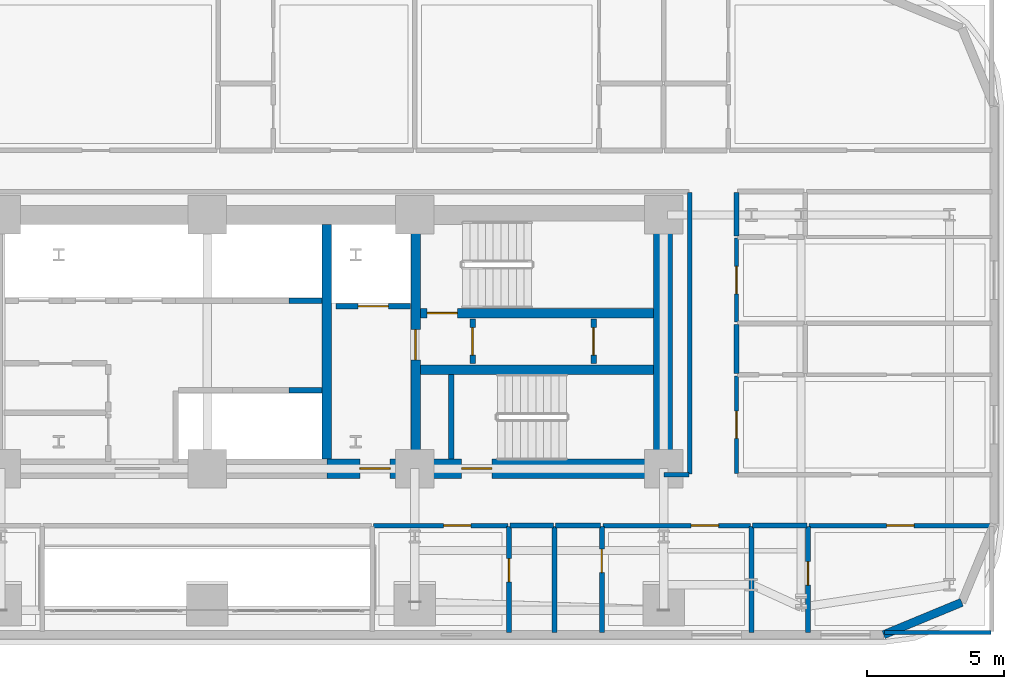
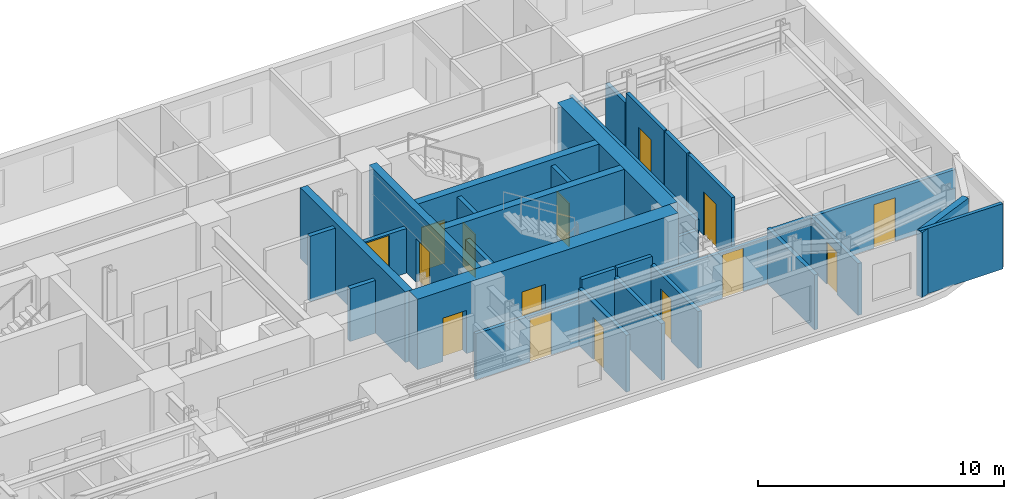
# One storey, part 10 of 15: 31 walls, 15 doors, 15 openings.
"""IFC4 building model written with IfcOpenShell, lengths in metres."""

from ifc_helpers import new_model, si_unit, direction, frame, frame_2d, origin, place, context, subcontext, project, spatial, rectangle, extrude, material, layer, layer_set, type_object, element, fill, save


model = new_model("IFC4")

# Units and contexts
model_context = context("Model", 3, precision=1e-05, world=origin(), true_north=direction((0.0, 1.0)))
body_context = subcontext(model_context, "Body", "Model", "MODEL_VIEW")
ifc_project = project(units=[si_unit("LENGTHUNIT", "METRE"), si_unit("AREAUNIT", "SQUARE_METRE"), si_unit("VOLUMEUNIT", "CUBIC_METRE"), si_unit("PLANEANGLEUNIT", "RADIAN"), si_unit("MASSUNIT", "GRAM", prefix="KILO")], contexts=[model_context])

# Site, building, storey
site_placement = place(None, origin())
site = spatial("IfcSite", under=ifc_project, at=site_placement, CompositionType="ELEMENT")
building_placement = place(site_placement, origin())
building = spatial("IfcBuilding", under=site, at=building_placement, Name="Zarnavel Station Tower", CompositionType="ELEMENT")
storey_placement = place(building_placement, frame((0.0, 0.0, 36.0)))
storey = spatial("IfcBuildingStorey", under=building, at=storey_placement, Name="L09", CompositionType="ELEMENT", Elevation=36.0)

# Wall
ifc_material_1 = material(Name="Concrete C50/60", Category="concrete")
ifc_layer_1 = layer(ifc_material_1, 0.35009765625)
ifc_layer_set_1 = layer_set([ifc_layer_1], Name="CW_350")
wall_type_1 = type_object("IfcWallType", Name="CW_350", PredefinedType="SHEAR", material=ifc_layer_set_1)
wall_1_placement = place(storey_placement, frame((33.14990234375, 28.169921875, 0.0), z_axis=(0.0, 0.0, 1.0), x_axis=(0.0, 1.0, 0.0)))
element("IfcWall", 1, at=wall_1_placement, inside=storey, type_object=wall_type_1, Name="L09 Rear Core Shear Wall DIV-E", PredefinedType="SHEAR", context=body_context, shape_type="SweptSolid", body=[
    extrude(rectangle(XDim=8.530029296875, YDim=0.35009765625, at=frame_2d((4.26513671875, 0.0))), origin(), (0.0, 0.0, 1.0), 3.5),
])

# Wall, opening, door
wall_2_placement = place(storey_placement, frame((36.3798828125, 28.169921875, 0.0), z_axis=(0.0, 0.0, 1.0), x_axis=(0.0, 1.0, 0.0)))
wall_2 = element("IfcWall", 2, at=wall_2_placement, inside=storey, type_object=wall_type_1, Name="L09 Rear Core Shear Wall DIV-S2", PredefinedType="SHEAR", context=body_context, shape_type="SweptSolid", body=[
    extrude(rectangle(XDim=8.530029296875, YDim=0.35009765625, at=frame_2d((4.26513671875, 0.0))), origin(), (0.0, 0.0, 1.0), 3.5),
])
opening_1_placement = place(wall_2_placement, frame((3.610107421875, 0.0, 0.0)))
opening_1 = element("IfcOpeningElement", 3, at=opening_1_placement, cuts=wall_2, Name="Opening FD01", PredefinedType="OPENING", context=body_context, shape_type="SweptSolid", body=[
    extrude(rectangle(XDim=1.10009765625, YDim=2.14990234375, at=frame_2d((0.550048828125, 1.074951171875))), frame((0.0, 0.18505859375, 0.0), z_axis=(0.0, -1.0, 0.0), x_axis=(1.0, 0.0, 0.0)), (0.0, 0.0, 1.0), 0.3701171875),
])
ifc_material_2 = material(Name="Painted Galvanised Steel and Hardwood Leaf", Category="steel")
door_type_1 = type_object("IfcDoorType", Name="ID_STAIR_1100", OperationType="NOTDEFINED", PredefinedType="DOOR", material=ifc_material_2)
door_1_placement = place(opening_1_placement, origin())
door_1 = element("IfcDoor", 4, at=door_1_placement, inside=storey, type_object=door_type_1, Name="L09 East Stair Vestibule Fire Door", OperationType="SINGLE_SWING_LEFT", OverallHeight=2.14990234375, OverallWidth=1.10009765625, PredefinedType="DOOR", context=body_context, shape_type="SweptSolid", body=[
    extrude(rectangle(XDim=1.10009765625, YDim=2.14990234375, at=frame_2d((0.550048828125, 1.074951171875))), frame((0.0, 0.02490234375, 0.0), z_axis=(0.0, -1.0, 0.0), x_axis=(1.0, 0.0, 0.0)), (0.0, 0.0, 1.0), 0.050048828125),
])
fill(opening_1, door_1)

wall_3_placement = place(storey_placement, frame((45.030029296875, 33.47998046875, 0.0), z_axis=(0.0, 0.0, 1.0), x_axis=(-1.0, 0.0, 0.0)))
wall_3 = element("IfcWall", 5, at=wall_3_placement, inside=storey, type_object=wall_type_1, Name="L09 Rear Core Shear Wall DIV-H2", PredefinedType="SHEAR", context=body_context, shape_type="SweptSolid", body=[
    extrude(rectangle(XDim=8.47509765625, YDim=0.35009765625, at=frame_2d((4.237548828125, 0.0))), origin(), (0.0, 0.0, 1.0), 3.5),
])
opening_2_placement = place(wall_3_placement, frame((7.1298828125, 0.0, 0.0)))
opening_2 = element("IfcOpeningElement", 6, at=opening_2_placement, cuts=wall_3, Name="Opening FD01", PredefinedType="OPENING", context=body_context, shape_type="SweptSolid", body=[
    extrude(rectangle(XDim=1.10009765625, YDim=2.14990234375, at=frame_2d((0.550048828125, 1.074951171875))), frame((0.0, 0.18505859375, 0.0), z_axis=(0.0, -1.0, 0.0), x_axis=(1.0, 0.0, 0.0)), (0.0, 0.0, 1.0), 0.3701171875),
])
door_2_placement = place(opening_2_placement, origin())
door_2 = element("IfcDoor", 7, at=door_2_placement, inside=storey, type_object=door_type_1, Name="L09 Stair ST2 Lobby Fire Door", OperationType="SINGLE_SWING_RIGHT", OverallHeight=2.14990234375, OverallWidth=1.10009765625, PredefinedType="DOOR", context=body_context, shape_type="SweptSolid", body=[
    extrude(rectangle(XDim=1.10009765625, YDim=2.14990234375, at=frame_2d((0.550048828125, 1.074951171875))), frame((0.0, 0.02490234375, 0.0), z_axis=(0.0, -1.0, 0.0), x_axis=(1.0, 0.0, 0.0)), (0.0, 0.0, 1.0), 0.050048828125),
])
fill(opening_2, door_2)

# Wall
wall_4_placement = place(storey_placement, frame((36.554931640625, 31.419921875, 0.0), z_axis=(0.0, 0.0, 1.0), x_axis=(1.0, 0.0, 0.0)))
element("IfcWall", 8, at=wall_4_placement, inside=storey, type_object=wall_type_1, Name="L09 Rear Core Shear Wall DIV-H3", PredefinedType="SHEAR", context=body_context, shape_type="SweptSolid", body=[
    extrude(rectangle(XDim=8.47509765625, YDim=0.35009765625, at=frame_2d((4.237548828125, 0.0))), origin(), (0.0, 0.0, 1.0), 3.5),
])

# Wall, openings, doors
ifc_material_3 = material(Name="Concrete C60/75", Category="concrete")
ifc_layer_2 = layer(ifc_material_3, 0.699951171875)
ifc_layer_set_2 = layer_set([ifc_layer_2], Name="CW_700")
wall_type_2 = type_object("IfcWallType", Name="CW_700", PredefinedType="SHEAR", material=ifc_layer_set_2)
wall_5_placement = place(storey_placement, frame((45.3798828125, 27.820068359375, 0.0), z_axis=(0.0, 0.0, 1.0), x_axis=(-1.0, 0.0, 0.0)))
wall_5 = element("IfcWall", 9, at=wall_5_placement, inside=storey, type_object=wall_type_2, Name="L09 Rear Core Shear Wall S-E", PredefinedType="SHEAR", context=body_context, shape_type="SweptSolid", body=[
    extrude(rectangle(XDim=12.22998046875, YDim=0.699951171875, at=frame_2d((6.114990234375, 0.0))), origin(), (0.0, 0.0, 1.0), 3.5),
])
opening_3_placement = place(wall_5_placement, frame((9.929931640625, 0.0, 0.0)))
opening_3 = element("IfcOpeningElement", 10, at=opening_3_placement, cuts=wall_5, Name="Opening FD01", PredefinedType="OPENING", context=body_context, shape_type="SweptSolid", body=[
    extrude(rectangle(XDim=1.10009765625, YDim=2.14990234375, at=frame_2d((0.550048828125, 1.074951171875))), frame((0.0, 0.35986328125, 0.0), z_axis=(0.0, -1.0, 0.0), x_axis=(1.0, 0.0, 0.0)), (0.0, 0.0, 1.0), 0.719970703125),
])
opening_4_placement = place(wall_5_placement, frame((6.22998046875, 0.0, 0.0)))
opening_4 = element("IfcOpeningElement", 11, at=opening_4_placement, cuts=wall_5, Name="Opening FD01", PredefinedType="OPENING", context=body_context, shape_type="SweptSolid", body=[
    extrude(rectangle(XDim=1.10009765625, YDim=2.14990234375, at=frame_2d((0.550048828125, 1.074951171875))), frame((0.0, 0.35986328125, 0.0), z_axis=(0.0, -1.0, 0.0), x_axis=(1.0, 0.0, 0.0)), (0.0, 0.0, 1.0), 0.719970703125),
])
door_3_placement = place(opening_3_placement, origin())
door_3 = element("IfcDoor", 12, at=door_3_placement, inside=storey, type_object=door_type_1, Name="L09 East Firefighting Lobby Door", OperationType="SINGLE_SWING_LEFT", OverallHeight=2.14990234375, OverallWidth=1.10009765625, PredefinedType="DOOR", context=body_context, shape_type="SweptSolid", body=[
    extrude(rectangle(XDim=1.10009765625, YDim=2.14990234375, at=frame_2d((0.550048828125, 1.074951171875))), frame((0.0, 0.02490234375, 0.0), z_axis=(0.0, -1.0, 0.0), x_axis=(1.0, 0.0, 0.0)), (0.0, 0.0, 1.0), 0.050048828125),
])
fill(opening_3, door_3)
door_4_placement = place(opening_4_placement, origin())
door_4 = element("IfcDoor", 13, at=door_4_placement, inside=storey, type_object=door_type_1, Name="L09 Stair ST3 Corridor Fire Door", OperationType="SINGLE_SWING_RIGHT", OverallHeight=2.14990234375, OverallWidth=1.10009765625, PredefinedType="DOOR", context=body_context, shape_type="SweptSolid", body=[
    extrude(rectangle(XDim=1.10009765625, YDim=2.14990234375, at=frame_2d((0.550048828125, 1.074951171875))), frame((0.0, 0.02490234375, 0.0), z_axis=(0.0, -1.0, 0.0), x_axis=(1.0, 0.0, 0.0)), (0.0, 0.0, 1.0), 0.050048828125),
])
fill(opening_4, door_4)

# Walls
wall_6_placement = place(storey_placement, frame((45.3798828125, 28.169921875, 0.0), z_axis=(0.0, 0.0, 1.0), x_axis=(0.0, 1.0, 0.0)))
element("IfcWall", 14, at=wall_6_placement, inside=storey, type_object=wall_type_2, Name="L09 Rear Core Shear Wall E", PredefinedType="SHEAR", context=body_context, shape_type="SweptSolid", body=[
    extrude(rectangle(XDim=8.530029296875, YDim=0.699951171875, at=frame_2d((4.26513671875, 0.0))), origin(), (0.0, 0.0, 1.0), 3.5),
])
ifc_material_4 = material(Name="Precast concrete C45/55 (Dark Basalt Finish)", Category="masonry")
ifc_layer_3 = layer(ifc_material_4, 0.300048828125)
ifc_layer_set_3 = layer_set([ifc_layer_3], Name="EW_BASALT_300")
wall_type_3 = type_object("IfcWallType", Name="EW_BASALT_300", PredefinedType="SOLIDWALL", material=ifc_layer_set_3)
wall_7_placement = place(storey_placement, frame((56.24267578125, 22.95751953125, 0.0), z_axis=(0.0, 0.0, 1.0), x_axis=(-0.923882414032, -0.382676475685, 0.0)))
element("IfcWall", 15, at=wall_7_placement, inside=storey, type_object=wall_type_3, Name="L09 Exterior Basalt Masonry Frame Wall 01", PredefinedType="SOLIDWALL", context=body_context, shape_type="SweptSolid", body=[
    extrude(rectangle(XDim=3.076904296875, YDim=0.300048828125, at=frame_2d((1.53857421875, 0.0))), origin(), (0.0, 0.0, 1.0), 3.239990234375),
])

# Wall, opening, door
ifc_material_5 = material(Name="Gypsum Twin-Stud Acoustic Fire Partition", Category="concrete")
ifc_layer_4 = layer(ifc_material_5, 0.159912109375)
ifc_layer_set_4 = layer_set([ifc_layer_4], Name="PT_DEMISE_160")
wall_type_4 = type_object("IfcWallType", Name="PT_DEMISE_160", PredefinedType="PARTITIONING", material=ifc_layer_set_4)
wall_8_placement = place(storey_placement, frame((34.840087890625, 25.75, 0.0), z_axis=(0.0, 0.0, 1.0), x_axis=(1.0, 0.0, 0.0)))
wall_8 = element("IfcWall", 16, at=wall_8_placement, inside=storey, type_object=wall_type_4, Name="L09 Partition COR-S-HE1R", PredefinedType="PARTITIONING", context=body_context, shape_type="SweptSolid", body=[
    extrude(rectangle(XDim=4.89892578125, YDim=0.159912109375, at=frame_2d((2.449462890625, 0.0))), origin(), (0.0, 0.0, 1.0), 2.280029296875),
])
opening_5_placement = place(wall_8_placement, frame((2.552734375, 0.0, 0.0)))
opening_5 = element("IfcOpeningElement", 17, at=opening_5_placement, cuts=wall_8, Name="Opening FD02", PredefinedType="OPENING", context=body_context, shape_type="SweptSolid", body=[
    extrude(rectangle(XDim=1.0, YDim=2.14990234375, at=frame_2d((0.5, 1.074951171875))), frame((0.0, 0.08984375, 0.0), z_axis=(0.0, -1.0, 0.0), x_axis=(1.0, 0.0, 0.0)), (0.0, 0.0, 1.0), 0.179931640625),
])
ifc_material_6 = material(Name="Painted Galvanised Steel and Hardwood Leaf", Category="steel")
door_type_2 = type_object("IfcDoorType", Name="ID_ENTRY_1000", OperationType="NOTDEFINED", PredefinedType="DOOR", material=ifc_material_6)
door_5_placement = place(opening_5_placement, origin())
door_5 = element("IfcDoor", 18, at=door_5_placement, inside=storey, type_object=door_type_2, Name="L09 Door COR-S-HE1R", OperationType="SINGLE_SWING_LEFT", OverallHeight=2.14990234375, OverallWidth=1.0, PredefinedType="DOOR", context=body_context, shape_type="SweptSolid", body=[
    extrude(rectangle(XDim=1.0, YDim=2.14990234375, at=frame_2d((0.5, 1.074951171875))), frame((0.0, 0.02490234375, 0.0), z_axis=(0.0, -1.0, 0.0), x_axis=(1.0, 0.0, 0.0)), (0.0, 0.0, 1.0), 0.050048828125),
])
fill(opening_5, door_5)

wall_9_placement = place(storey_placement, frame((43.18994140625, 25.75, 0.0), z_axis=(0.0, 0.0, 1.0), x_axis=(1.0, 0.0, 0.0)))
wall_9 = element("IfcWall", 19, at=wall_9_placement, inside=storey, type_object=wall_type_4, Name="L09 Partition COR-S-HE2R", PredefinedType="PARTITIONING", context=body_context, shape_type="SweptSolid", body=[
    extrude(rectangle(XDim=5.3701171875, YDim=0.159912109375, at=frame_2d((2.68505859375, 0.0))), origin(), (0.0, 0.0, 1.0), 2.280029296875),
])
opening_6_placement = place(wall_9_placement, frame((3.20751953125, 0.0, 0.0)))
opening_6 = element("IfcOpeningElement", 20, at=opening_6_placement, cuts=wall_9, Name="Opening FD02", PredefinedType="OPENING", context=body_context, shape_type="SweptSolid", body=[
    extrude(rectangle(XDim=1.0, YDim=2.14990234375, at=frame_2d((0.5, 1.074951171875))), frame((0.0, 0.08984375, 0.0), z_axis=(0.0, -1.0, 0.0), x_axis=(1.0, 0.0, 0.0)), (0.0, 0.0, 1.0), 0.179931640625),
])
door_6_placement = place(opening_6_placement, origin())
door_6 = element("IfcDoor", 21, at=door_6_placement, inside=storey, type_object=door_type_2, Name="L09 Door COR-S-HE2R", OperationType="SINGLE_SWING_RIGHT", OverallHeight=2.14990234375, OverallWidth=1.0, PredefinedType="DOOR", context=body_context, shape_type="SweptSolid", body=[
    extrude(rectangle(XDim=1.0, YDim=2.14990234375, at=frame_2d((0.5, 1.074951171875))), frame((0.0, 0.02490234375, 0.0), z_axis=(0.0, -1.0, 0.0), x_axis=(1.0, 0.0, 0.0)), (0.0, 0.0, 1.0), 0.050048828125),
])
fill(opening_6, door_6)

wall_10_placement = place(storey_placement, frame((50.68994140625, 25.75, 0.0), z_axis=(0.0, 0.0, 1.0), x_axis=(1.0, 0.0, 0.0)))
wall_10 = element("IfcWall", 22, at=wall_10_placement, inside=storey, type_object=wall_type_4, Name="L09 Partition COR-S-HE3R", PredefinedType="PARTITIONING", context=body_context, shape_type="SweptSolid", body=[
    extrude(rectangle(XDim=6.650146484375, YDim=0.159912109375, at=frame_2d((3.3251953125, 0.0))), origin(), (0.0, 0.0, 1.0), 2.570068359375),
])
opening_7_placement = place(wall_10_placement, frame((2.824951171875, 0.0, 0.0)))
opening_7 = element("IfcOpeningElement", 23, at=opening_7_placement, cuts=wall_10, Name="Opening FD02", PredefinedType="OPENING", context=body_context, shape_type="SweptSolid", body=[
    extrude(rectangle(XDim=1.0, YDim=2.14990234375, at=frame_2d((0.5, 1.074951171875))), frame((0.0, 0.08984375, 0.0), z_axis=(0.0, -1.0, 0.0), x_axis=(1.0, 0.0, 0.0)), (0.0, 0.0, 1.0), 0.179931640625),
])
door_7_placement = place(opening_7_placement, origin())
door_7 = element("IfcDoor", 24, at=door_7_placement, inside=storey, type_object=door_type_2, Name="L09 Door COR-S-HE3R", OperationType="SINGLE_SWING_LEFT", OverallHeight=2.14990234375, OverallWidth=1.0, PredefinedType="DOOR", context=body_context, shape_type="SweptSolid", body=[
    extrude(rectangle(XDim=1.0, YDim=2.14990234375, at=frame_2d((0.5, 1.074951171875))), frame((0.0, 0.02490234375, 0.0), z_axis=(0.0, -1.0, 0.0), x_axis=(1.0, 0.0, 0.0)), (0.0, 0.0, 1.0), 0.050048828125),
])
fill(opening_7, door_7)

wall_11_placement = place(storey_placement, frame((48.050048828125, 27.639892578125, 0.0), z_axis=(0.0, 0.0, 1.0), x_axis=(0.0, 1.0, 0.0)))
wall_11 = element("IfcWall", 25, at=wall_11_placement, inside=storey, type_object=wall_type_4, Name="L09 Partition COR-E-FNE1R", PredefinedType="PARTITIONING", context=body_context, shape_type="SweptSolid", body=[
    extrude(rectangle(XDim=3.55615234375, YDim=0.159912109375, at=frame_2d((1.778076171875, 0.0))), origin(), (0.0, 0.0, 1.0), 3.239990234375),
])
opening_8_placement = place(wall_11_placement, frame((1.278076171875, 0.0, 0.0)))
opening_8 = element("IfcOpeningElement", 26, at=opening_8_placement, cuts=wall_11, Name="Opening FD02", PredefinedType="OPENING", context=body_context, shape_type="SweptSolid", body=[
    extrude(rectangle(XDim=1.0, YDim=2.14990234375, at=frame_2d((0.5, 1.074951171875))), frame((0.0, 0.08984375, 0.0), z_axis=(0.0, -1.0, 0.0), x_axis=(1.0, 0.0, 0.0)), (0.0, 0.0, 1.0), 0.179931640625),
])
door_8_placement = place(opening_8_placement, origin())
door_8 = element("IfcDoor", 27, at=door_8_placement, inside=storey, type_object=door_type_2, Name="L09 Door COR-E-FNE1R", OperationType="SINGLE_SWING_RIGHT", OverallHeight=2.14990234375, OverallWidth=1.0, PredefinedType="DOOR", context=body_context, shape_type="SweptSolid", body=[
    extrude(rectangle(XDim=1.0, YDim=2.14990234375, at=frame_2d((0.5, 1.074951171875))), frame((0.0, 0.02490234375, 0.0), z_axis=(0.0, -1.0, 0.0), x_axis=(1.0, 0.0, 0.0)), (0.0, 0.0, 1.0), 0.050048828125),
])
fill(opening_8, door_8)

wall_12_placement = place(storey_placement, frame((48.050048828125, 33.14892578125, 0.0), z_axis=(0.0, 0.0, 1.0), x_axis=(0.0, 1.0, 0.0)))
wall_12 = element("IfcWall", 28, at=wall_12_placement, inside=storey, type_object=wall_type_4, Name="L09 Partition COR-E-FNE2R", PredefinedType="PARTITIONING", context=body_context, shape_type="SweptSolid", body=[
    extrude(rectangle(XDim=3.06103515625, YDim=0.159912109375, at=frame_2d((1.530517578125, 0.0))), origin(), (0.0, 0.0, 1.0), 3.239990234375),
])
opening_9_placement = place(wall_12_placement, frame((1.030517578125, 0.0, 0.0)))
opening_9 = element("IfcOpeningElement", 29, at=opening_9_placement, cuts=wall_12, Name="Opening FD02", PredefinedType="OPENING", context=body_context, shape_type="SweptSolid", body=[
    extrude(rectangle(XDim=1.0, YDim=2.14990234375, at=frame_2d((0.5, 1.074951171875))), frame((0.0, 0.08984375, 0.0), z_axis=(0.0, -1.0, 0.0), x_axis=(1.0, 0.0, 0.0)), (0.0, 0.0, 1.0), 0.179931640625),
])
door_9_placement = place(opening_9_placement, origin())
door_9 = element("IfcDoor", 30, at=door_9_placement, inside=storey, type_object=door_type_2, Name="L09 Door COR-E-FNE2R", OperationType="SINGLE_SWING_LEFT", OverallHeight=2.14990234375, OverallWidth=1.0, PredefinedType="DOOR", context=body_context, shape_type="SweptSolid", body=[
    extrude(rectangle(XDim=1.0, YDim=2.14990234375, at=frame_2d((0.5, 1.074951171875))), frame((0.0, 0.02490234375, 0.0), z_axis=(0.0, -1.0, 0.0), x_axis=(1.0, 0.0, 0.0)), (0.0, 0.0, 1.0), 0.050048828125),
])
fill(opening_9, door_9)

# Walls
wall_13_placement = place(storey_placement, frame((45.409912109375, 27.60009765625, 0.0), z_axis=(0.0, 0.0, 1.0), x_axis=(1.0, 0.0, 0.0)))
element("IfcWall", 31, at=wall_13_placement, inside=storey, type_object=wall_type_4, Name="L09 Enclosure Wall COR-S", PredefinedType="PARTITIONING", context=body_context, shape_type="SweptSolid", body=[
    extrude(rectangle(XDim=0.91015625, YDim=0.159912109375, at=frame_2d((0.455078125, 0.0))), origin(), (0.0, 0.0, 1.0), 2.280029296875),
])
wall_14_placement = place(storey_placement, frame((46.35009765625, 27.6298828125, 0.0), z_axis=(0.0, 0.0, 1.0), x_axis=(0.0, 1.0, 0.0)))
element("IfcWall", 32, at=wall_14_placement, inside=storey, type_object=wall_type_4, Name="L09 Enclosure Wall COR-E", PredefinedType="PARTITIONING", context=body_context, shape_type="SweptSolid", body=[
    extrude(rectangle(XDim=10.240234375, YDim=0.159912109375, at=frame_2d((5.1201171875, 0.0))), origin(), (0.0, 0.0, 1.0), 2.719970703125),
])
wall_15_placement = place(storey_placement, frame((53.429931640625, 21.860107421875, 0.0), z_axis=(0.0, 0.0, 1.0), x_axis=(1.0, 0.0, 0.0)))
element("IfcWall", 33, at=wall_15_placement, inside=storey, type_object=wall_type_4, Name="L09 Enclosure Wall HE3R", PredefinedType="PARTITIONING", context=body_context, shape_type="SweptSolid", body=[
    extrude(rectangle(XDim=3.880126953125, YDim=0.159912109375, at=frame_2d((1.93994140625, 0.0))), origin(), (0.0, 0.0, 1.0), 3.239990234375),
])

# Wall, opening, door
ifc_material_7 = material(Name="Precast concrete C45/55 (Fire Shaft Blockwork)", Category="masonry")
ifc_layer_5 = layer(ifc_material_7, 0.199951171875)
ifc_layer_set_5 = layer_set([ifc_layer_5], Name="PT_SHAFT_200")
wall_type_5 = type_object("IfcWallType", Name="PT_SHAFT_200", PredefinedType="PARTITIONING", material=ifc_layer_set_5)
wall_16_placement = place(storey_placement, frame((33.47509765625, 33.72998046875, 0.0), z_axis=(0.0, 0.0, 1.0), x_axis=(1.0, 0.0, 0.0)))
wall_16 = element("IfcWall", 34, at=wall_16_placement, inside=storey, type_object=wall_type_5, Name="L09 Lift FFL-02 Shaft Front Wall", PredefinedType="PARTITIONING", context=body_context, shape_type="SweptSolid", body=[
    extrude(rectangle(XDim=2.724853515625, YDim=0.199951171875, at=frame_2d((1.3623046875, 0.0))), origin(), (0.0, 0.0, 1.0), 2.2119140625),
])
opening_10_placement = place(wall_16_placement, frame((0.8125, 0.0, 0.0)))
opening_10 = element("IfcOpeningElement", 35, at=opening_10_placement, cuts=wall_16, Name="Opening LD01", PredefinedType="OPENING", context=body_context, shape_type="SweptSolid", body=[
    extrude(rectangle(XDim=1.10009765625, YDim=2.14990234375, at=frame_2d((0.550048828125, 1.074951171875))), frame((0.0, 0.10986328125, 0.0), z_axis=(0.0, -1.0, 0.0), x_axis=(1.0, 0.0, 0.0)), (0.0, 0.0, 1.0), 0.219970703125),
])
ifc_material_8 = material(Name="Painted Galvanised Steel and Hardwood Leaf", Category="steel")
door_type_3 = type_object("IfcDoorType", Name="LD_FF_1100", OperationType="DOUBLE_DOOR_SLIDING", PredefinedType="DOOR", material=ifc_material_8)
door_10_placement = place(opening_10_placement, origin())
door_10 = element("IfcDoor", 36, at=door_10_placement, inside=storey, type_object=door_type_3, Name="L09 Lift FFL-02 Sliding Landing Door", OperationType="DOUBLE_DOOR_SLIDING", OverallHeight=2.14990234375, OverallWidth=1.10009765625, PredefinedType="DOOR", context=body_context, shape_type="SweptSolid", body=[
    extrude(rectangle(XDim=1.10009765625, YDim=2.14990234375, at=frame_2d((0.550048828125, 1.074951171875))), frame((0.0, 0.02490234375, 0.0), z_axis=(0.0, -1.0, 0.0), x_axis=(1.0, 0.0, 0.0)), (0.0, 0.0, 1.0), 0.050048828125),
])
fill(opening_10, door_10)

# Walls
wall_17_placement = place(storey_placement, frame((31.77490234375, 30.669921875, 0.0), z_axis=(0.0, 0.0, 1.0), x_axis=(1.0, 0.0, 0.0)))
element("IfcWall", 37, at=wall_17_placement, inside=storey, type_object=wall_type_5, Name="L09 Lift PL-H3 Shaft Front Wall", PredefinedType="PARTITIONING", context=body_context, shape_type="SweptSolid", body=[
    extrude(rectangle(XDim=1.2001953125, YDim=0.199951171875, at=frame_2d((0.60009765625, 0.0))), origin(), (0.0, 0.0, 1.0), 2.6201171875),
])
wall_18_placement = place(storey_placement, frame((31.77490234375, 33.929931640625, 0.0), z_axis=(0.0, 0.0, 1.0), x_axis=(1.0, 0.0, 0.0)))
element("IfcWall", 38, at=wall_18_placement, inside=storey, type_object=wall_type_5, Name="L09 Lift PL-M3 Shaft Front Wall", PredefinedType="PARTITIONING", context=body_context, shape_type="SweptSolid", body=[
    extrude(rectangle(XDim=1.2001953125, YDim=0.199951171875, at=frame_2d((0.60009765625, 0.0))), origin(), (0.0, 0.0, 1.0), 3.239990234375),
])
wall_19_placement = place(storey_placement, frame((37.679931640625, 28.169921875, 0.0), z_axis=(0.0, 0.0, 1.0), x_axis=(0.0, 1.0, 0.0)))
element("IfcWall", 39, at=wall_19_placement, inside=storey, type_object=wall_type_5, Name="L09 Stair ST3 West Shaft Wall", PredefinedType="PARTITIONING", context=body_context, shape_type="SweptSolid", body=[
    extrude(rectangle(XDim=3.080078125, YDim=0.199951171875, at=frame_2d((1.5400390625, 0.0))), origin(), (0.0, 0.0, 1.0), 2.6201171875),
])

# Wall, opening, door
wall_20_placement = place(storey_placement, frame((38.449951171875, 31.639892578125, 0.0), z_axis=(0.0, 0.0, 1.0), x_axis=(0.0, 1.0, 0.0)))
wall_20 = element("IfcWall", 40, at=wall_20_placement, inside=storey, type_object=wall_type_5, Name="L09 Partition ESTV-CEA", PredefinedType="PARTITIONING", context=body_context, shape_type="SweptSolid", body=[
    extrude(rectangle(XDim=1.6201171875, YDim=0.199951171875, at=frame_2d((0.81005859375, 0.0))), origin(), (0.0, 0.0, 1.0), 3.239990234375),
])
opening_11_placement = place(wall_20_placement, frame((0.31005859375, 0.0, 0.0)))
opening_11 = element("IfcOpeningElement", 41, at=opening_11_placement, cuts=wall_20, Name="Opening FD02", PredefinedType="OPENING", context=body_context, shape_type="SweptSolid", body=[
    extrude(rectangle(XDim=1.0, YDim=2.14990234375, at=frame_2d((0.5, 1.074951171875))), frame((0.0, 0.10986328125, 0.0), z_axis=(0.0, -1.0, 0.0), x_axis=(1.0, 0.0, 0.0)), (0.0, 0.0, 1.0), 0.219970703125),
])
door_11_placement = place(opening_11_placement, origin())
door_11 = element("IfcDoor", 42, at=door_11_placement, inside=storey, type_object=door_type_2, Name="L09 Door ESTV-CEA", OperationType="SINGLE_SWING_LEFT", OverallHeight=2.14990234375, OverallWidth=1.0, PredefinedType="DOOR", context=body_context, shape_type="SweptSolid", body=[
    extrude(rectangle(XDim=1.0, YDim=2.14990234375, at=frame_2d((0.5, 1.074951171875))), frame((0.0, 0.02490234375, 0.0), z_axis=(0.0, -1.0, 0.0), x_axis=(1.0, 0.0, 0.0)), (0.0, 0.0, 1.0), 0.050048828125),
])
fill(opening_11, door_11)

wall_21_placement = place(storey_placement, frame((42.85009765625, 31.639892578125, 0.0), z_axis=(0.0, 0.0, 1.0), x_axis=(0.0, 1.0, 0.0)))
wall_21 = element("IfcWall", 43, at=wall_21_placement, inside=storey, type_object=wall_type_5, Name="L09 Partition CEA-CEB", PredefinedType="PARTITIONING", context=body_context, shape_type="SweptSolid", body=[
    extrude(rectangle(XDim=1.6201171875, YDim=0.199951171875, at=frame_2d((0.81005859375, 0.0))), origin(), (0.0, 0.0, 1.0), 3.239990234375),
])
opening_12_placement = place(wall_21_placement, frame((0.31005859375, 0.0, 0.0)))
opening_12 = element("IfcOpeningElement", 44, at=opening_12_placement, cuts=wall_21, Name="Opening FD02", PredefinedType="OPENING", context=body_context, shape_type="SweptSolid", body=[
    extrude(rectangle(XDim=1.0, YDim=2.14990234375, at=frame_2d((0.5, 1.074951171875))), frame((0.0, 0.10986328125, 0.0), z_axis=(0.0, -1.0, 0.0), x_axis=(1.0, 0.0, 0.0)), (0.0, 0.0, 1.0), 0.219970703125),
])
door_12_placement = place(opening_12_placement, origin())
door_12 = element("IfcDoor", 45, at=door_12_placement, inside=storey, type_object=door_type_2, Name="L09 Door CEA-CEB", OperationType="SINGLE_SWING_RIGHT", OverallHeight=2.14990234375, OverallWidth=1.0, PredefinedType="DOOR", context=body_context, shape_type="SweptSolid", body=[
    extrude(rectangle(XDim=1.0, YDim=2.14990234375, at=frame_2d((0.5, 1.074951171875))), frame((0.0, 0.02490234375, 0.0), z_axis=(0.0, -1.0, 0.0), x_axis=(1.0, 0.0, 0.0)), (0.0, 0.0, 1.0), 0.050048828125),
])
fill(opening_12, door_12)

# Walls
ifc_material_9 = material(Name="Moisture-Resistant Plumbing Chase Wall", Category="concrete")
ifc_layer_6 = layer(ifc_material_9, 0.179931640625)
ifc_layer_set_6 = layer_set([ifc_layer_6], Name="PW_PLUMB_180")
wall_type_6 = type_object("IfcWallType", Name="PW_PLUMB_180", PredefinedType="PLUMBINGWALL", material=ifc_layer_set_6)
wall_22_placement = place(storey_placement, frame((39.819091796875, 25.75, 0.0), z_axis=(0.0, 0.0, 1.0), x_axis=(1.0, 0.0, 0.0)))
element("IfcWall", 46, at=wall_22_placement, inside=storey, type_object=wall_type_6, Name="L09 Partition COR-S-HE1B", PredefinedType="PLUMBINGWALL", context=body_context, shape_type="SweptSolid", body=[
    extrude(rectangle(XDim=1.56982421875, YDim=0.179931640625, at=frame_2d((0.784912109375, 0.0))), origin(), (0.0, 0.0, 1.0), 3.239990234375),
])
wall_23_placement = place(storey_placement, frame((41.468994140625, 25.75, 0.0), z_axis=(0.0, 0.0, 1.0), x_axis=(1.0, 0.0, 0.0)))
element("IfcWall", 47, at=wall_23_placement, inside=storey, type_object=wall_type_6, Name="L09 Partition COR-S-HE2B", PredefinedType="PLUMBINGWALL", context=body_context, shape_type="SweptSolid", body=[
    extrude(rectangle(XDim=1.64111328125, YDim=0.179931640625, at=frame_2d((0.820556640625, 0.0))), origin(), (0.0, 0.0, 1.0), 3.239990234375),
])
wall_24_placement = place(storey_placement, frame((48.639892578125, 25.75, 0.0), z_axis=(0.0, 0.0, 1.0), x_axis=(1.0, 0.0, 0.0)))
element("IfcWall", 48, at=wall_24_placement, inside=storey, type_object=wall_type_6, Name="L09 Partition COR-S-HE3B", PredefinedType="PLUMBINGWALL", context=body_context, shape_type="SweptSolid", body=[
    extrude(rectangle(XDim=1.97021484375, YDim=0.179931640625, at=frame_2d((0.985107421875, 0.0))), origin(), (0.0, 0.0, 1.0), 2.570068359375),
])
wall_25_placement = place(storey_placement, frame((48.050048828125, 31.27587890625, 0.0), z_axis=(0.0, 0.0, 1.0), x_axis=(0.0, 1.0, 0.0)))
element("IfcWall", 49, at=wall_25_placement, inside=storey, type_object=wall_type_6, Name="L09 Partition COR-E-FNE1B", PredefinedType="PLUMBINGWALL", context=body_context, shape_type="SweptSolid", body=[
    extrude(rectangle(XDim=1.793212890625, YDim=0.179931640625, at=frame_2d((0.896484375, 0.0))), origin(), (0.0, 0.0, 1.0), 3.239990234375),
])
wall_26_placement = place(storey_placement, frame((48.050048828125, 36.2900390625, 0.0), z_axis=(0.0, 0.0, 1.0), x_axis=(0.0, 1.0, 0.0)))
element("IfcWall", 50, at=wall_26_placement, inside=storey, type_object=wall_type_6, Name="L09 Partition COR-E-FNE2B", PredefinedType="PLUMBINGWALL", context=body_context, shape_type="SweptSolid", body=[
    extrude(rectangle(XDim=1.570068359375, YDim=0.179931640625, at=frame_2d((0.78515625, 0.0))), origin(), (0.0, 0.0, 1.0), 2.719970703125),
])

# Wall, opening, door
wall_27_placement = place(storey_placement, frame((39.779052734375, 21.860107421875, 0.0), z_axis=(0.0, 0.0, 1.0), x_axis=(0.0, 1.0, 0.0)))
wall_27 = element("IfcWall", 51, at=wall_27_placement, inside=storey, type_object=wall_type_6, Name="L09 Partition HE1R-HE1B", PredefinedType="PLUMBINGWALL", context=body_context, shape_type="SweptSolid", body=[
    extrude(rectangle(XDim=3.849853515625, YDim=0.179931640625, at=frame_2d((1.9248046875, 0.0))), origin(), (0.0, 0.0, 1.0), 2.820068359375),
])
opening_13_placement = place(wall_27_placement, frame((1.840087890625, 0.0, 0.0)))
opening_13 = element("IfcOpeningElement", 52, at=opening_13_placement, cuts=wall_27, Name="Opening ID02", PredefinedType="OPENING", context=body_context, shape_type="SweptSolid", body=[
    extrude(rectangle(XDim=0.85009765625, YDim=2.10009765625, at=frame_2d((0.425048828125, 1.050048828125))), frame((0.0, 0.099853515625, 0.0), z_axis=(0.0, -1.0, 0.0), x_axis=(1.0, 0.0, 0.0)), (0.0, 0.0, 1.0), 0.199951171875),
])
ifc_material_10 = material(Name="Painted Galvanised Steel and Hardwood Leaf", Category="steel")
door_type_4 = type_object("IfcDoorType", Name="ID_BATH_850", OperationType="NOTDEFINED", PredefinedType="DOOR", material=ifc_material_10)
door_13_placement = place(opening_13_placement, origin())
door_13 = element("IfcDoor", 53, at=door_13_placement, inside=storey, type_object=door_type_4, Name="L09 Door HE1R-HE1B", OperationType="SINGLE_SWING_LEFT", OverallHeight=2.10009765625, OverallWidth=0.85009765625, PredefinedType="DOOR", context=body_context, shape_type="SweptSolid", body=[
    extrude(rectangle(XDim=0.85009765625, YDim=2.10009765625, at=frame_2d((0.425048828125, 1.050048828125))), frame((0.0, 0.02490234375, 0.0), z_axis=(0.0, -1.0, 0.0), x_axis=(1.0, 0.0, 0.0)), (0.0, 0.0, 1.0), 0.050048828125),
])
fill(opening_13, door_13)

# Wall
wall_28_placement = place(storey_placement, frame((41.428955078125, 21.860107421875, 0.0), z_axis=(0.0, 0.0, 1.0), x_axis=(0.0, 1.0, 0.0)))
element("IfcWall", 54, at=wall_28_placement, inside=storey, type_object=wall_type_6, Name="L09 Partition HE1B-HE2B", PredefinedType="PLUMBINGWALL", context=body_context, shape_type="SweptSolid", body=[
    extrude(rectangle(XDim=3.849853515625, YDim=0.179931640625, at=frame_2d((1.9248046875, 0.0))), origin(), (0.0, 0.0, 1.0), 2.820068359375),
])

# Wall, opening, door
wall_29_placement = place(storey_placement, frame((43.14990234375, 21.860107421875, 0.0), z_axis=(0.0, 0.0, 1.0), x_axis=(0.0, 1.0, 0.0)))
wall_29 = element("IfcWall", 55, at=wall_29_placement, inside=storey, type_object=wall_type_6, Name="L09 Partition HE2R-HE2B", PredefinedType="PLUMBINGWALL", context=body_context, shape_type="SweptSolid", body=[
    extrude(rectangle(XDim=3.849853515625, YDim=0.179931640625, at=frame_2d((1.9248046875, 0.0))), origin(), (0.0, 0.0, 1.0), 2.820068359375),
])
opening_14_placement = place(wall_29_placement, frame((2.179931640625, 0.0, 0.0)))
opening_14 = element("IfcOpeningElement", 56, at=opening_14_placement, cuts=wall_29, Name="Opening ID02", PredefinedType="OPENING", context=body_context, shape_type="SweptSolid", body=[
    extrude(rectangle(XDim=0.85009765625, YDim=2.10009765625, at=frame_2d((0.425048828125, 1.050048828125))), frame((0.0, 0.099853515625, 0.0), z_axis=(0.0, -1.0, 0.0), x_axis=(1.0, 0.0, 0.0)), (0.0, 0.0, 1.0), 0.199951171875),
])
door_14_placement = place(opening_14_placement, origin())
door_14 = element("IfcDoor", 57, at=door_14_placement, inside=storey, type_object=door_type_4, Name="L09 Door HE2R-HE2B", OperationType="SINGLE_SWING_RIGHT", OverallHeight=2.10009765625, OverallWidth=0.85009765625, PredefinedType="DOOR", context=body_context, shape_type="SweptSolid", body=[
    extrude(rectangle(XDim=0.85009765625, YDim=2.10009765625, at=frame_2d((0.425048828125, 1.050048828125))), frame((0.0, 0.02490234375, 0.0), z_axis=(0.0, -1.0, 0.0), x_axis=(1.0, 0.0, 0.0)), (0.0, 0.0, 1.0), 0.050048828125),
])
fill(opening_14, door_14)

# Wall
wall_30_placement = place(storey_placement, frame((48.60009765625, 21.860107421875, 0.0), z_axis=(0.0, 0.0, 1.0), x_axis=(0.0, 1.0, 0.0)))
element("IfcWall", 58, at=wall_30_placement, inside=storey, type_object=wall_type_6, Name="L09 Partition HE2R-HE3B", PredefinedType="PLUMBINGWALL", context=body_context, shape_type="SweptSolid", body=[
    extrude(rectangle(XDim=3.849853515625, YDim=0.179931640625, at=frame_2d((1.9248046875, 0.0))), origin(), (0.0, 0.0, 1.0), 2.719970703125),
])

# Wall, opening, door
wall_31_placement = place(storey_placement, frame((50.64990234375, 21.860107421875, 0.0), z_axis=(0.0, 0.0, 1.0), x_axis=(0.0, 1.0, 0.0)))
wall_31 = element("IfcWall", 59, at=wall_31_placement, inside=storey, type_object=wall_type_6, Name="L09 Partition HE3R-HE3B", PredefinedType="PLUMBINGWALL", context=body_context, shape_type="SweptSolid", body=[
    extrude(rectangle(XDim=3.849853515625, YDim=0.179931640625, at=frame_2d((1.9248046875, 0.0))), origin(), (0.0, 0.0, 1.0), 2.570068359375),
])
opening_15_placement = place(wall_31_placement, frame((1.726806640625, 0.0, 0.0)))
opening_15 = element("IfcOpeningElement", 60, at=opening_15_placement, cuts=wall_31, Name="Opening ID02", PredefinedType="OPENING", context=body_context, shape_type="SweptSolid", body=[
    extrude(rectangle(XDim=0.85009765625, YDim=2.10009765625, at=frame_2d((0.425048828125, 1.050048828125))), frame((0.0, 0.099853515625, 0.0), z_axis=(0.0, -1.0, 0.0), x_axis=(1.0, 0.0, 0.0)), (0.0, 0.0, 1.0), 0.199951171875),
])
door_15_placement = place(opening_15_placement, origin())
door_15 = element("IfcDoor", 61, at=door_15_placement, inside=storey, type_object=door_type_4, Name="L09 Door HE3R-HE3B", OperationType="SINGLE_SWING_LEFT", OverallHeight=2.10009765625, OverallWidth=0.85009765625, PredefinedType="DOOR", context=body_context, shape_type="SweptSolid", body=[
    extrude(rectangle(XDim=0.85009765625, YDim=2.10009765625, at=frame_2d((0.425048828125, 1.050048828125))), frame((0.0, 0.02490234375, 0.0), z_axis=(0.0, -1.0, 0.0), x_axis=(1.0, 0.0, 0.0)), (0.0, 0.0, 1.0), 0.050048828125),
])
fill(opening_15, door_15)

save(model, "model.ifc")
